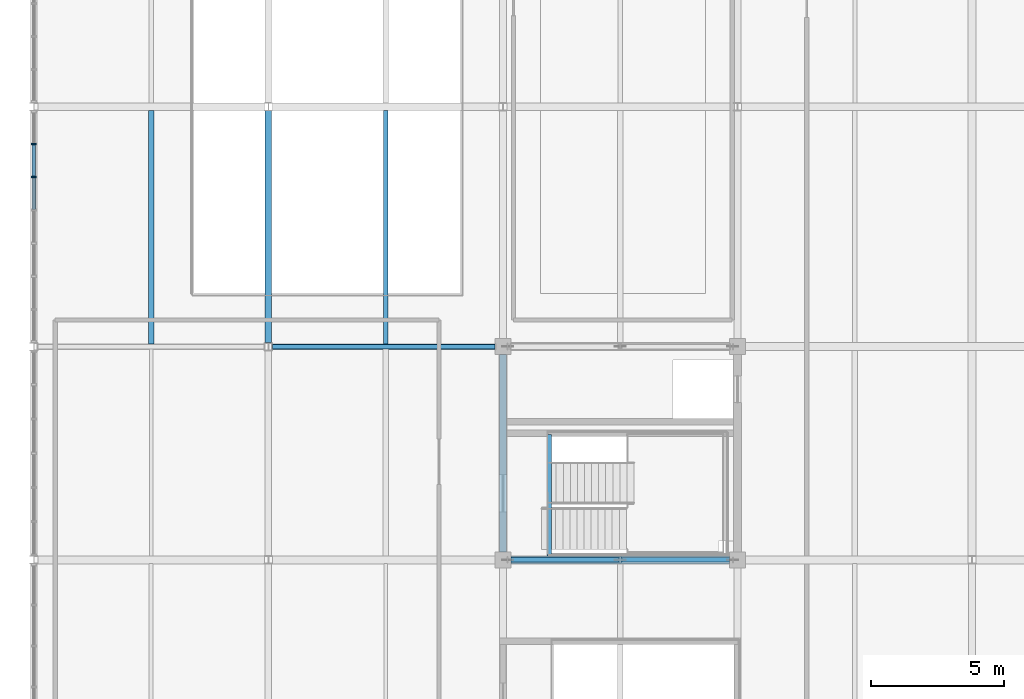
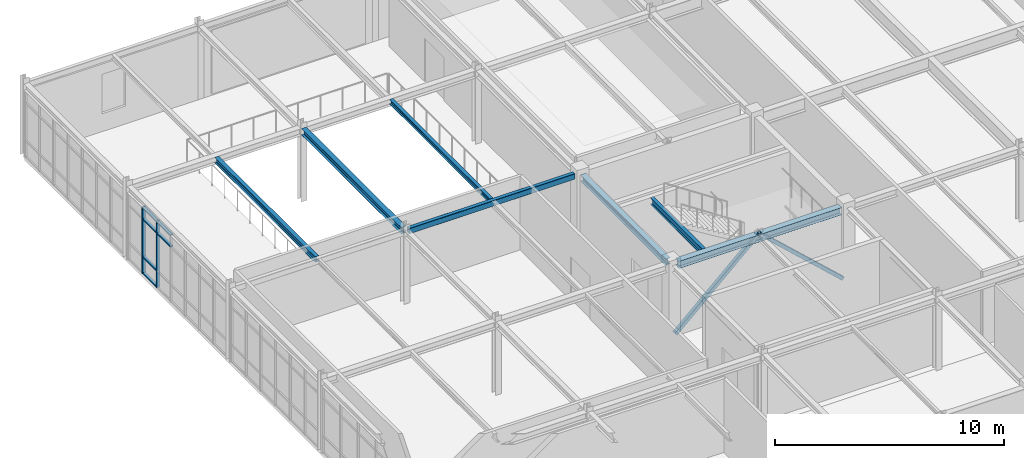
# One storey, part 29 of 88: 10 members, 7 beams, 1 element without a shape of its own.
"""IFC4 building model written with IfcOpenShell, lengths in metres."""

from ifc_helpers import new_model, si_unit, direction, frame, origin, origin_2d, place, context, subcontext, project, spatial, rectangle, hollow_rectangle, i_section, extrude, material, material_profile, profile_set, type_object, element, aggregate, save


model = new_model("IFC4")

# Units and contexts
model_context = context("Model", 3, precision=1e-05, world=origin(), true_north=direction((0.0, 1.0)))
body_context = subcontext(model_context, "Body", "Model", "MODEL_VIEW")
ifc_project = project(units=[si_unit("LENGTHUNIT", "METRE"), si_unit("AREAUNIT", "SQUARE_METRE"), si_unit("VOLUMEUNIT", "CUBIC_METRE"), si_unit("PLANEANGLEUNIT", "RADIAN"), si_unit("MASSUNIT", "GRAM", prefix="KILO")], contexts=[model_context])

# Site, building, storey
site_placement = place(None, origin())
site = spatial("IfcSite", under=ifc_project, at=site_placement, CompositionType="ELEMENT")
building_placement = place(site_placement, origin())
building = spatial("IfcBuilding", under=site, at=building_placement, Name="Zhaolan Boulevard Law Courts", CompositionType="ELEMENT")
storey_placement = place(building_placement, frame((0.0, 0.0, 16.199951171875)))
storey = spatial("IfcBuildingStorey", under=building, at=storey_placement, Name="L03", CompositionType="ELEMENT", Elevation=16.199951171875)

# Members
ifc_material_1 = material(Name="Structural steel Q355B", Category="steel")
ifc_material_profile_1 = material_profile(ifc_material_1, hollow_rectangle(XDim=0.179931640625, YDim=0.179931640625, WallThickness=0.008056640625, InnerFilletRadius=0.008056640625, OuterFilletRadius=0.01611328125, at=origin_2d()), Name="HSS180x180x8")
ifc_profile_set_1 = profile_set([ifc_material_profile_1], Name="Structural steel Q355B")
member_type_1 = type_object("IfcMemberType", Name="BRACE HSS180", PredefinedType="BRACE", material=ifc_profile_set_1)
member_1_placement = place(storey_placement, frame((26.219970703125, 86.0, 0.030029296875), z_axis=(-0.73525664892, 0.0, 0.677788802076), x_axis=(0.0, -1.0, 0.0)))
element("IfcMember", 1, at=member_1_placement, inside=storey, type_object=member_type_1, Name="Core Brace BR-L1-L03-S2", PredefinedType="BRACE", context=body_context, shape_type="SweptSolid", body=[
    extrude(hollow_rectangle(XDim=0.179931640625, YDim=0.179931640625, WallThickness=0.008056640625, InnerFilletRadius=0.008056640625, OuterFilletRadius=0.01611328125, at=origin_2d()), origin(), (0.0, 0.0, 1.0), 5.739501953125),
])
ifc_material_2 = material(Name="Structural steel Q355B", Category="steel")
ifc_material_profile_2 = material_profile(ifc_material_2, hollow_rectangle(XDim=0.199951171875, YDim=0.199951171875, WallThickness=0.010009765625, InnerFilletRadius=0.010009765625, OuterFilletRadius=0.02001953125, at=origin_2d()), Name="HSS200x200x10")
ifc_profile_set_2 = profile_set([ifc_material_profile_2], Name="Structural steel Q355B")
member_type_2 = type_object("IfcMemberType", Name="BRACE HSS200", PredefinedType="BRACE", material=ifc_profile_set_2)
member_2_placement = place(storey_placement, frame((17.780029296875, 86.0, 0.030029296875), z_axis=(0.73525664892, 0.0, 0.677788802076), x_axis=(0.0, 1.0, 0.0)))
element("IfcMember", 2, at=member_2_placement, inside=storey, type_object=member_type_2, Name="Core Brace BR-L1-L03-S1", PredefinedType="BRACE", context=body_context, shape_type="SweptSolid", body=[
    extrude(hollow_rectangle(XDim=0.199951171875, YDim=0.199951171875, WallThickness=0.010009765625, InnerFilletRadius=0.010009765625, OuterFilletRadius=0.02001953125, at=origin_2d()), origin(), (0.0, 0.0, 1.0), 5.739501953125),
])

# Curtain wall, members
ifc_material_3 = material(Name="Thermally broken aluminium and low-E glazing", Category="aluminium")
curtain_wall_type = type_object("IfcCurtainWallType", Name="CURTAIN WALL M5", PredefinedType="USERDEFINED", material=ifc_material_3)
curtain_wall_placement = place(storey_placement, origin())
curtain_wall = element("IfcCurtainWall", 3, at=curtain_wall_placement, inside=storey, type_object=curtain_wall_type, Name="Curtain Wall CW-L03-125", ObjectType="CURTAIN WALL", PredefinedType="USERDEFINED")
ifc_material_4 = material(Name="Fluorocarbon-coated aluminium 6063-T6", Category="aluminium")
ifc_material_profile_3 = material_profile(ifc_material_4, rectangle(XDim=0.179931640625, YDim=0.06494140625, at=origin_2d()), Name="AL65x180")
ifc_profile_set_3 = profile_set([ifc_material_profile_3], Name="Fluorocarbon-coated aluminium 6063-T6")
member_type_3 = type_object("IfcMemberType", Name="CWMULLION 65X180", PredefinedType="MULLION", material=ifc_profile_set_3)
member_3_placement = place(storey_placement, frame((0.0, 101.605712890625, 0.0), z_axis=(0.0, 0.0, 1.0), x_axis=(1.0, 0.0, 0.0)))
member_3 = element("IfcMember", 4, at=member_3_placement, type_object=member_type_3, Name="CW-L03-125 mullion 2", PredefinedType="MULLION", context=body_context, shape_type="SweptSolid", body=[
    extrude(rectangle(XDim=0.179931640625, YDim=0.06494140625, at=origin_2d()), origin(), (0.0, 0.0, 1.0), 3.56298828125),
])
member_4_placement = place(storey_placement, frame((0.0, 100.363525390625, 0.0), z_axis=(0.0, 0.0, 1.0), x_axis=(1.0, 0.0, 0.0)))
member_4 = element("IfcMember", 5, at=member_4_placement, type_object=member_type_3, Name="CW-L03-125 mullion 3", PredefinedType="MULLION", context=body_context, shape_type="SweptSolid", body=[
    extrude(rectangle(XDim=0.179931640625, YDim=0.06494140625, at=origin_2d()), origin(), (0.0, 0.0, 1.0), 3.56298828125),
])
ifc_material_5 = material(Name="Fluorocarbon-coated aluminium 6063-T6", Category="aluminium")
ifc_material_profile_4 = material_profile(ifc_material_5, rectangle(XDim=0.139892578125, YDim=0.06494140625, at=origin_2d()), Name="AL65x140")
ifc_profile_set_4 = profile_set([ifc_material_profile_4], Name="Fluorocarbon-coated aluminium 6063-T6")
member_type_4 = type_object("IfcMemberType", Name="CWTRANSOM 65X140", PredefinedType="USERDEFINED", material=ifc_profile_set_4)
member_5_placement = place(storey_placement, frame((0.0, 101.5732421875, 0.032470703125), z_axis=(0.0, -1.0, 0.0), x_axis=(1.0, 0.0, 0.0)))
member_5 = element("IfcMember", 6, at=member_5_placement, type_object=member_type_4, Name="CW-L03-125 transom 2.1", ObjectType="TRANSOM", PredefinedType="USERDEFINED", context=body_context, shape_type="SweptSolid", body=[
    extrude(rectangle(XDim=0.139892578125, YDim=0.06494140625, at=origin_2d()), origin(), (0.0, 0.0, 1.0), 1.17724609375),
])
member_6_placement = place(storey_placement, frame((0.0, 101.5732421875, 0.900146484375), z_axis=(0.0, -1.0, 0.0), x_axis=(1.0, 0.0, 0.0)))
member_6 = element("IfcMember", 7, at=member_6_placement, type_object=member_type_4, Name="CW-L03-125 transom 2.2", ObjectType="TRANSOM", PredefinedType="USERDEFINED", context=body_context, shape_type="SweptSolid", body=[
    extrude(rectangle(XDim=0.139892578125, YDim=0.06494140625, at=origin_2d()), origin(), (0.0, 0.0, 1.0), 1.17724609375),
])
member_7_placement = place(storey_placement, frame((0.0, 101.5732421875, 2.9130859375), z_axis=(0.0, -1.0, 0.0), x_axis=(1.0, 0.0, 0.0)))
member_7 = element("IfcMember", 8, at=member_7_placement, type_object=member_type_4, Name="CW-L03-125 transom 2.3", ObjectType="TRANSOM", PredefinedType="USERDEFINED", context=body_context, shape_type="SweptSolid", body=[
    extrude(rectangle(XDim=0.139892578125, YDim=0.06494140625, at=origin_2d()), origin(), (0.0, 0.0, 1.0), 1.17724609375),
])
member_8_placement = place(storey_placement, frame((0.0, 101.5732421875, 3.530517578125), z_axis=(0.0, -1.0, 0.0), x_axis=(1.0, 0.0, 0.0)))
member_8 = element("IfcMember", 9, at=member_8_placement, type_object=member_type_4, Name="CW-L03-125 transom 2.4", ObjectType="TRANSOM", PredefinedType="USERDEFINED", context=body_context, shape_type="SweptSolid", body=[
    extrude(rectangle(XDim=0.139892578125, YDim=0.06494140625, at=origin_2d()), origin(), (0.0, 0.0, 1.0), 1.17724609375),
])
member_9_placement = place(storey_placement, frame((0.0, 100.330810546875, 2.9130859375), z_axis=(0.0, -1.0, 0.0), x_axis=(1.0, 0.0, 0.0)))
member_9 = element("IfcMember", 10, at=member_9_placement, type_object=member_type_4, Name="CW-L03-125 transom 3.3", ObjectType="TRANSOM", PredefinedType="USERDEFINED", context=body_context, shape_type="SweptSolid", body=[
    extrude(rectangle(XDim=0.139892578125, YDim=0.06494140625, at=origin_2d()), origin(), (0.0, 0.0, 1.0), 1.17724609375),
])
member_10_placement = place(storey_placement, frame((0.0, 100.330810546875, 3.530517578125), z_axis=(0.0, -1.0, 0.0), x_axis=(1.0, 0.0, 0.0)))
member_10 = element("IfcMember", 11, at=member_10_placement, type_object=member_type_4, Name="CW-L03-125 transom 3.4", ObjectType="TRANSOM", PredefinedType="USERDEFINED", context=body_context, shape_type="SweptSolid", body=[
    extrude(rectangle(XDim=0.139892578125, YDim=0.06494140625, at=origin_2d()), origin(), (0.0, 0.0, 1.0), 1.17724609375),
])
aggregate(curtain_wall, [member_3, member_4, member_5, member_6, member_7, member_8, member_9, member_10])

# Beams
ifc_material_6 = material(Name="Structural steel Q355B", Category="steel")
ifc_material_profile_5 = material_profile(ifc_material_6, i_section(OverallWidth=0.25, OverallDepth=0.340087890625, WebThickness=0.009033203125, FlangeThickness=0.013916015625, FilletRadius=0.01611328125, at=origin_2d()), Name="HM340x250")
ifc_profile_set_5 = profile_set([ifc_material_profile_5], Name="Structural steel Q355B")
beam_type_1 = type_object("IfcBeamType", Name="GIRDER HM340", PredefinedType="BEAM", material=ifc_profile_set_5)
beam_1_placement = place(storey_placement, frame((8.800048828125, 94.14599609375, 3.748046875), z_axis=(0.0, 1.0, 0.0), x_axis=(-1.0, 0.0, 0.0)))
element("IfcBeam", 12, at=beam_1_placement, inside=storey, type_object=beam_type_1, Name="Beam BY-L04-2-N-P", PredefinedType="BEAM", context=body_context, shape_type="SweptSolid", body=[
    extrude(i_section(OverallWidth=0.25, OverallDepth=0.340087890625, WebThickness=0.009033203125, FlangeThickness=0.013916015625, FilletRadius=0.01611328125, at=origin_2d()), origin(), (0.0, 0.0, 1.0), 8.7080078125),
])
beam_2_placement = place(storey_placement, frame((17.60009765625, 86.2958984375, 3.748046875), z_axis=(0.0, 1.0, 0.0), x_axis=(-1.0, 0.0, 0.0)))
element("IfcBeam", 13, at=beam_2_placement, inside=storey, type_object=beam_type_1, Name="Beam BY-L04-3-M-N", PredefinedType="BEAM", context=body_context, shape_type="SweptSolid", body=[
    extrude(i_section(OverallWidth=0.25, OverallDepth=0.340087890625, WebThickness=0.009033203125, FlangeThickness=0.013916015625, FilletRadius=0.01611328125, at=origin_2d()), origin(), (0.0, 0.0, 1.0), 7.408203125),
])
ifc_material_7 = material(Name="Structural steel Q355B", Category="steel")
ifc_material_profile_6 = material_profile(ifc_material_7, i_section(OverallWidth=0.300048828125, OverallDepth=0.389892578125, WebThickness=0.010009765625, FlangeThickness=0.01611328125, FilletRadius=0.01806640625, at=origin_2d()), Name="HM390x300")
ifc_profile_set_6 = profile_set([ifc_material_profile_6], Name="Structural steel Q355B")
beam_type_2 = type_object("IfcBeamType", Name="GIRDER HM390", PredefinedType="BEAM", material=ifc_profile_set_6)
beam_3_placement = place(storey_placement, frame((17.89599609375, 86.0, 3.72314453125), z_axis=(1.0, 0.0, 0.0), x_axis=(0.0, 1.0, 0.0)))
element("IfcBeam", 14, at=beam_3_placement, inside=storey, type_object=beam_type_2, Name="Beam BX-L04-3-4-M", PredefinedType="BEAM", context=body_context, shape_type="SweptSolid", body=[
    extrude(i_section(OverallWidth=0.300048828125, OverallDepth=0.389892578125, WebThickness=0.010009765625, FlangeThickness=0.01611328125, FilletRadius=0.01806640625, at=origin_2d()), origin(), (0.0, 0.0, 1.0), 8.2080078125),
])
ifc_material_8 = material(Name="Structural steel Q355B", Category="steel")
ifc_material_profile_7 = material_profile(ifc_material_8, i_section(OverallWidth=0.175048828125, OverallDepth=0.243896484375, WebThickness=0.007080078125, FlangeThickness=0.010986328125, FilletRadius=0.012939453125, at=origin_2d()), Name="HM244x175")
ifc_profile_set_7 = profile_set([ifc_material_profile_7], Name="Structural steel Q355B")
beam_type_3 = type_object("IfcBeamType", Name="JOIST HM244", PredefinedType="JOIST", material=ifc_profile_set_7)
beam_4_placement = place(storey_placement, frame((13.199951171875, 94.095947265625, 3.796142578125), z_axis=(0.0, 1.0, 0.0), x_axis=(-1.0, 0.0, 0.0)))
element("IfcBeam", 15, at=beam_4_placement, inside=storey, type_object=beam_type_3, Name="Composite Joist J-L04-2N", PredefinedType="JOIST", context=body_context, shape_type="SweptSolid", body=[
    extrude(i_section(OverallWidth=0.175048828125, OverallDepth=0.243896484375, WebThickness=0.007080078125, FlangeThickness=0.010986328125, FilletRadius=0.012939453125, at=origin_2d()), origin(), (0.0, 0.0, 1.0), 8.758056640625),
])
ifc_material_9 = material(Name="Structural steel Q355B", Category="steel")
ifc_material_profile_8 = material_profile(ifc_material_9, i_section(OverallWidth=0.199951171875, OverallDepth=0.2939453125, WebThickness=0.008056640625, FlangeThickness=0.011962890625, FilletRadius=0.01611328125, at=origin_2d()), Name="HM294x200")
ifc_profile_set_8 = profile_set([ifc_material_profile_8], Name="Structural steel Q355B")
beam_type_4 = type_object("IfcBeamType", Name="JOIST HM294", PredefinedType="JOIST", material=ifc_profile_set_8)
beam_5_placement = place(storey_placement, frame((4.39990234375, 94.095947265625, 3.77099609375), z_axis=(0.0, 1.0, 0.0), x_axis=(-1.0, 0.0, 0.0)))
element("IfcBeam", 16, at=beam_5_placement, inside=storey, type_object=beam_type_4, Name="Composite Joist J-L04-1N", PredefinedType="JOIST", context=body_context, shape_type="SweptSolid", body=[
    extrude(i_section(OverallWidth=0.199951171875, OverallDepth=0.2939453125, WebThickness=0.008056640625, FlangeThickness=0.011962890625, FilletRadius=0.01611328125, at=origin_2d()), origin(), (0.0, 0.0, 1.0), 8.758056640625),
])
ifc_material_10 = material(Name="Structural steel Q355B", Category="steel")
ifc_material_profile_9 = material_profile(ifc_material_10, hollow_rectangle(XDim=0.199951171875, YDim=0.300048828125, WallThickness=0.011962890625, InnerFilletRadius=0.011962890625, OuterFilletRadius=0.02392578125, at=origin_2d()), Name="HSS300x200x12")
ifc_profile_set_9 = profile_set([ifc_material_profile_9], Name="Structural steel Q355B")
beam_type_5 = type_object("IfcBeamType", Name="SPANDREL HSS300", PredefinedType="SPANDREL", material=ifc_profile_set_9)
beam_6_placement = place(storey_placement, frame((8.946044921875, 94.0, 3.76806640625), z_axis=(1.0, 0.0, 0.0), x_axis=(0.0, 1.0, 0.0)))
element("IfcBeam", 17, at=beam_6_placement, inside=storey, type_object=beam_type_5, Name="Beam BX-L04-2-3-N", PredefinedType="SPANDREL", context=body_context, shape_type="SweptSolid", body=[
    extrude(hollow_rectangle(XDim=0.199951171875, YDim=0.300048828125, WallThickness=0.011962890625, InnerFilletRadius=0.011962890625, OuterFilletRadius=0.02392578125, at=origin_2d()), origin(), (0.0, 0.0, 1.0), 8.35791015625),
])
ifc_material_11 = material(Name="Structural steel Q355B", Category="steel")
ifc_material_profile_10 = material_profile(ifc_material_11, i_section(OverallWidth=0.175048828125, OverallDepth=0.35009765625, WebThickness=0.007080078125, FlangeThickness=0.010986328125, FilletRadius=0.012939453125, at=origin_2d()), Name="HN350x175")
ifc_profile_set_10 = profile_set([ifc_material_profile_10], Name="Structural steel Q355B")
beam_type_6 = type_object("IfcBeamType", Name="STAIR TRIMMER HN350", PredefinedType="BEAM", material=ifc_profile_set_10)
beam_7_placement = place(storey_placement, frame((19.3349609375, 86.139892578125, 3.735107421875), z_axis=(0.0, 1.0, 0.0), x_axis=(-1.0, 0.0, 0.0)))
element("IfcBeam", 18, at=beam_7_placement, inside=storey, type_object=beam_type_6, Name="Stair Landing Trimmer Beam STB-ST10-L04", PredefinedType="BEAM", context=body_context, shape_type="SweptSolid", body=[
    extrude(i_section(OverallWidth=0.175048828125, OverallDepth=0.35009765625, WebThickness=0.007080078125, FlangeThickness=0.010986328125, FilletRadius=0.012939453125, at=origin_2d()), origin(), (0.0, 0.0, 1.0), 4.570068359375),
])

save(model, "model.ifc")
